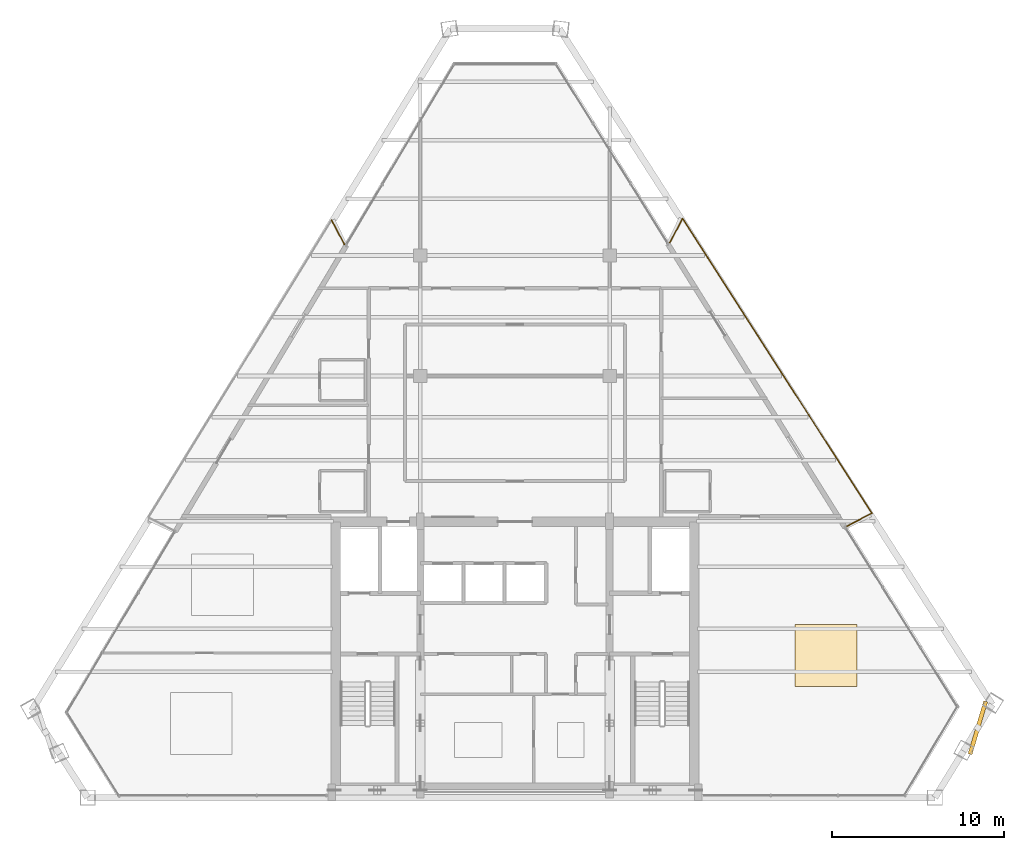
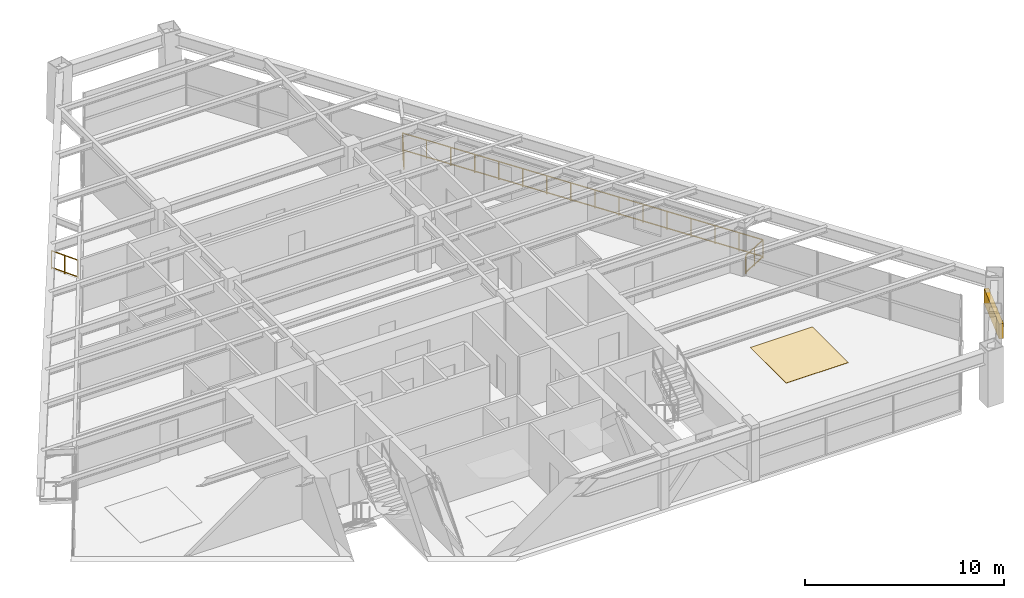
# One storey, part 12 of 12: 4 railings, 1 covering, 1 shading device.
"""IFC4 building model written with IfcOpenShell, lengths in metres."""

from ifc_helpers import new_model, si_unit, direction, frame, origin, origin_2d, place, context, subcontext, project, spatial, rectangle, extrude, source, transform, mapped, material, layer, layer_set, type_object, type_shapes, element, save


model = new_model("IFC4")

# Units and contexts
model_context = context("Model", 3, precision=1e-05, world=origin(), true_north=direction((0.0, 1.0)))
body_context = subcontext(model_context, "Body", "Model", "MODEL_VIEW")
ifc_project = project(units=[si_unit("LENGTHUNIT", "METRE"), si_unit("AREAUNIT", "SQUARE_METRE"), si_unit("VOLUMEUNIT", "CUBIC_METRE"), si_unit("PLANEANGLEUNIT", "RADIAN"), si_unit("MASSUNIT", "GRAM", prefix="KILO")], contexts=[model_context])

# Site, building, storey
site_placement = place(None, origin())
site = spatial("IfcSite", under=ifc_project, at=site_placement, CompositionType="ELEMENT")
building_placement = place(site_placement, origin())
building = spatial("IfcBuilding", under=site, at=building_placement, Name="Varnakhor Terracotta Tower", CompositionType="ELEMENT")
storey_placement = place(building_placement, frame((0.0, 0.0, 223.449951171875)))
storey = spatial("IfcBuildingStorey", under=building, at=storey_placement, Name="L57", CompositionType="ELEMENT", Elevation=223.449951171875)

# Railings
ifc_material_1 = material(Name="Stainless Steel & Laminated Glass Guardrail", Category="steel")
railing_type = type_object("IfcRailingType", Name="RLG-LOGGIA-GUARD-1150", PredefinedType="GUARDRAIL", material=ifc_material_1)
railing_1_placement = place(storey_placement, frame((9.001220703125, 32.251953125, 0.0)))
element("IfcRailing", 1, at=railing_1_placement, inside=storey, type_object=railing_type, Name="L57 E Loggia Glass Guard 1", PredefinedType="GUARDRAIL", context=body_context, shape_type="SweptSolid", body=[
    extrude(rectangle(XDim=0.048095703125, YDim=0.048095703125, at=origin_2d()), frame((0.0, 0.0, 1.1259765625), z_axis=(0.467364067366, 0.884064945881, 0.0), x_axis=(-0.884064945881, 0.467364067366, 0.0)), (0.0, 0.0, 1.0), 1.58544921875),
    extrude(rectangle(XDim=0.048095703125, YDim=0.048095703125, at=origin_2d()), frame((0.0, 0.0, 0.10009765625), z_axis=(0.467364067366, 0.884064945881, 0.0), x_axis=(-0.884064945881, 0.467364067366, 0.0)), (0.0, 0.0, 1.0), 1.58544921875),
    extrude(rectangle(XDim=0.0419921875, YDim=0.0419921875, at=origin_2d()), origin(), (0.0, 0.0, 1.0), 1.101806640625),
    extrude(rectangle(XDim=0.0419921875, YDim=0.0419921875, at=origin_2d()), frame((0.37060546875, 0.70068359375, 0.0)), (0.0, 0.0, 1.0), 1.101806640625),
    extrude(rectangle(XDim=0.0419921875, YDim=0.0419921875, at=origin_2d()), frame((0.740966796875, 1.401611328125, 0.0)), (0.0, 0.0, 1.0), 1.101806640625),
])
railing_2_placement = place(storey_placement, frame((9.7421875, 33.653564453125, 0.0)))
element("IfcRailing", 2, at=railing_2_placement, inside=storey, type_object=railing_type, Name="L57 E Loggia Glass Guard 2", PredefinedType="GUARDRAIL", context=body_context, shape_type="SweptSolid", body=[
    extrude(rectangle(XDim=0.048095703125, YDim=0.048095703125, at=origin_2d()), frame((0.0, 0.0, 1.1259765625), z_axis=(0.540078189629, -0.841614846047, 0.0), x_axis=(0.841614846047, 0.540078189629, 0.0)), (0.0, 0.0, 1.0), 20.3466796875),
    extrude(rectangle(XDim=0.048095703125, YDim=0.048095703125, at=origin_2d()), frame((0.0, 0.0, 0.10009765625), z_axis=(0.540078189629, -0.841614846047, 0.0), x_axis=(0.841614846047, 0.540078189629, 0.0)), (0.0, 0.0, 1.0), 20.3466796875),
    extrude(rectangle(XDim=0.0419921875, YDim=0.0419921875, at=origin_2d()), origin(), (0.0, 0.0, 1.0), 1.101806640625),
    extrude(rectangle(XDim=0.0419921875, YDim=0.0419921875, at=origin_2d()), frame((0.732666015625, -1.1416015625, 0.0)), (0.0, 0.0, 1.0), 1.101806640625),
    extrude(rectangle(XDim=0.0419921875, YDim=0.0419921875, at=origin_2d()), frame((1.465087890625, -2.283203125, 0.0)), (0.0, 0.0, 1.0), 1.101806640625),
    extrude(rectangle(XDim=0.0419921875, YDim=0.0419921875, at=origin_2d()), frame((2.19775390625, -3.4248046875, 0.0)), (0.0, 0.0, 1.0), 1.101806640625),
    extrude(rectangle(XDim=0.0419921875, YDim=0.0419921875, at=origin_2d()), frame((2.930419921875, -4.56640625, 0.0)), (0.0, 0.0, 1.0), 1.101806640625),
    extrude(rectangle(XDim=0.0419921875, YDim=0.0419921875, at=origin_2d()), frame((3.662841796875, -5.7080078125, 0.0)), (0.0, 0.0, 1.0), 1.101806640625),
    extrude(rectangle(XDim=0.0419921875, YDim=0.0419921875, at=origin_2d()), frame((4.3955078125, -6.849609375, 0.0)), (0.0, 0.0, 1.0), 1.101806640625),
    extrude(rectangle(XDim=0.0419921875, YDim=0.0419921875, at=origin_2d()), frame((5.128173828125, -7.9912109375, 0.0)), (0.0, 0.0, 1.0), 1.101806640625),
    extrude(rectangle(XDim=0.0419921875, YDim=0.0419921875, at=origin_2d()), frame((5.860595703125, -9.1328125, 0.0)), (0.0, 0.0, 1.0), 1.101806640625),
    extrude(rectangle(XDim=0.0419921875, YDim=0.0419921875, at=origin_2d()), frame((6.59326171875, -10.2744140625, 0.0)), (0.0, 0.0, 1.0), 1.101806640625),
    extrude(rectangle(XDim=0.0419921875, YDim=0.0419921875, at=origin_2d()), frame((7.325927734375, -11.416015625, 0.0)), (0.0, 0.0, 1.0), 1.101806640625),
    extrude(rectangle(XDim=0.0419921875, YDim=0.0419921875, at=origin_2d()), frame((8.058349609375, -12.5576171875, 0.0)), (0.0, 0.0, 1.0), 1.101806640625),
    extrude(rectangle(XDim=0.0419921875, YDim=0.0419921875, at=origin_2d()), frame((8.791015625, -13.69921875, 0.0)), (0.0, 0.0, 1.0), 1.101806640625),
    extrude(rectangle(XDim=0.0419921875, YDim=0.0419921875, at=origin_2d()), frame((9.523681640625, -14.8408203125, 0.0)), (0.0, 0.0, 1.0), 1.101806640625),
    extrude(rectangle(XDim=0.0419921875, YDim=0.0419921875, at=origin_2d()), frame((10.256103515625, -15.982421875, 0.0)), (0.0, 0.0, 1.0), 1.101806640625),
    extrude(rectangle(XDim=0.0419921875, YDim=0.0419921875, at=origin_2d()), frame((10.98876953125, -17.1240234375, 0.0)), (0.0, 0.0, 1.0), 1.101806640625),
])
railing_3_placement = place(storey_placement, frame((20.73095703125, 16.529541015625, 0.0)))
element("IfcRailing", 3, at=railing_3_placement, inside=storey, type_object=railing_type, Name="L57 E Loggia Glass Guard 3", PredefinedType="GUARDRAIL", context=body_context, shape_type="SweptSolid", body=[
    extrude(rectangle(XDim=0.048095703125, YDim=0.048095703125, at=origin_2d()), frame((0.0, 0.0, 1.1259765625), z_axis=(-0.88413130443, -0.467238522093, 0.0), x_axis=(0.467238522093, -0.88413130443, 0.0)), (0.0, 0.0, 1.0), 1.62451171875),
    extrude(rectangle(XDim=0.048095703125, YDim=0.048095703125, at=origin_2d()), frame((0.0, 0.0, 0.10009765625), z_axis=(-0.88413130443, -0.467238522093, 0.0), x_axis=(0.467238522093, -0.88413130443, 0.0)), (0.0, 0.0, 1.0), 1.62451171875),
    extrude(rectangle(XDim=0.0419921875, YDim=0.0419921875, at=origin_2d()), origin(), (0.0, 0.0, 1.0), 1.101806640625),
    extrude(rectangle(XDim=0.0419921875, YDim=0.0419921875, at=origin_2d()), frame((-0.71826171875, -0.37939453125, 0.0)), (0.0, 0.0, 1.0), 1.101806640625),
    extrude(rectangle(XDim=0.0419921875, YDim=0.0419921875, at=origin_2d()), frame((-1.436279296875, -0.759033203125, 0.0)), (0.0, 0.0, 1.0), 1.101806640625),
])
railing_4_placement = place(storey_placement, frame((-10.660888671875, 33.5576171875, 0.0)))
element("IfcRailing", 4, at=railing_4_placement, inside=storey, type_object=railing_type, Name="L57 W Loggia Glass Guard 3", PredefinedType="GUARDRAIL", context=body_context, shape_type="SweptSolid", body=[
    extrude(rectangle(XDim=0.048095703125, YDim=0.048095703125, at=origin_2d()), frame((0.0, 0.0, 1.1259765625), z_axis=(0.470019683595, -0.882655933551, 0.0), x_axis=(0.882655933551, 0.470019683595, 0.0)), (0.0, 0.0, 1.0), 1.582763671875),
    extrude(rectangle(XDim=0.048095703125, YDim=0.048095703125, at=origin_2d()), frame((0.0, 0.0, 0.10009765625), z_axis=(0.470019683595, -0.882655933551, 0.0), x_axis=(0.882655933551, 0.470019683595, 0.0)), (0.0, 0.0, 1.0), 1.582763671875),
    extrude(rectangle(XDim=0.0419921875, YDim=0.0419921875, at=origin_2d()), origin(), (0.0, 0.0, 1.0), 1.101806640625),
    extrude(rectangle(XDim=0.0419921875, YDim=0.0419921875, at=origin_2d()), frame((0.3720703125, -0.698486328125, 0.0)), (0.0, 0.0, 1.0), 1.101806640625),
    extrude(rectangle(XDim=0.0419921875, YDim=0.0419921875, at=origin_2d()), frame((0.743896484375, -1.39697265625, 0.0)), (0.0, 0.0, 1.0), 1.101806640625),
])

# Shading device
ifc_material_2 = material(Name="Extruded Architectural Terracotta Screen", Category="masonry")
shading_device_type = type_object("IfcShadingDeviceType", Name="TERRACOTTA SOLAR SCREEN E", PredefinedType="USERDEFINED", material=ifc_material_2)
shared_shape_1 = source(origin(), body_context, "Body", "SweptSolid", [
    extrude(rectangle(XDim=3.199951171875, YDim=0.239990234375, at=origin_2d()), origin(), (0.0, 0.0, 1.0), 0.919921875),
])
type_shapes(shading_device_type, [shared_shape_1])
shading_device_placement = place(storey_placement, frame((26.900146484375, 4.05419921875, 1.56201171875), z_axis=(0.0, 0.0, 1.0), x_axis=(0.28518655174, 0.958472029173, 0.0)))
element("IfcShadingDevice", 5, at=shading_device_placement, inside=storey, type_object=shading_device_type, Name="L57 E Terracotta Solar Screen", ObjectType="SCREEN", PredefinedType="USERDEFINED", context=body_context, shape_type="MappedRepresentation", body=[
    mapped(shared_shape_1, transform((0.0, 0.0, 0.0), scale=1.0)),
])

# Covering
ifc_material_3 = material(Name="Honed Riyadh Limestone Flooring", Category="masonry")
ifc_layer = layer(ifc_material_3, 0.030029296875, Name="Honed Riyadh Limestone Flooring")
ifc_layer_set = layer_set([ifc_layer], Name="Honed Riyadh Limestone Flooring")
covering_type = type_object("IfcCoveringType", Name="COV-FLOOR-LIMESTONE", PredefinedType="FLOORING", material=ifc_layer_set)
shared_shape_2 = source(origin(), body_context, "Body", "SweptSolid", [
    extrude(rectangle(XDim=3.60009765625, YDim=3.60009765625, at=origin_2d()), origin(), (0.0, 0.0, 1.0), 0.02001953125),
])
covering_placement = place(storey_placement, frame((18.06298828125, 8.26611328125, 0.0), z_axis=(0.0, 0.0, 1.0), x_axis=(1.0, 0.0, 0.0)))
element("IfcCovering", 6, at=covering_placement, inside=storey, type_object=covering_type, Name="L57 Honed Stone Flooring 4", PredefinedType="FLOORING", context=body_context, shape_type="MappedRepresentation", body=[
    mapped(shared_shape_2, transform((0.0, 0.0, 0.0), scale=1.0)),
])

save(model, "model.ifc")
